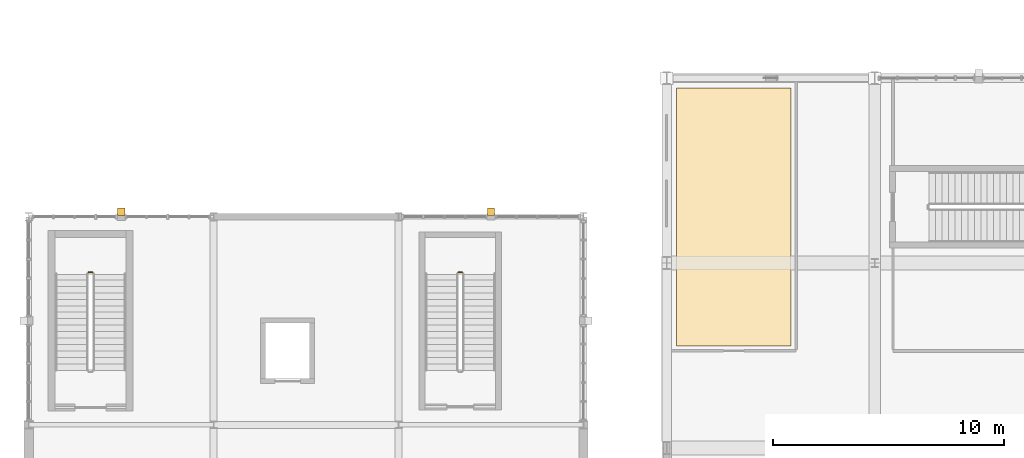
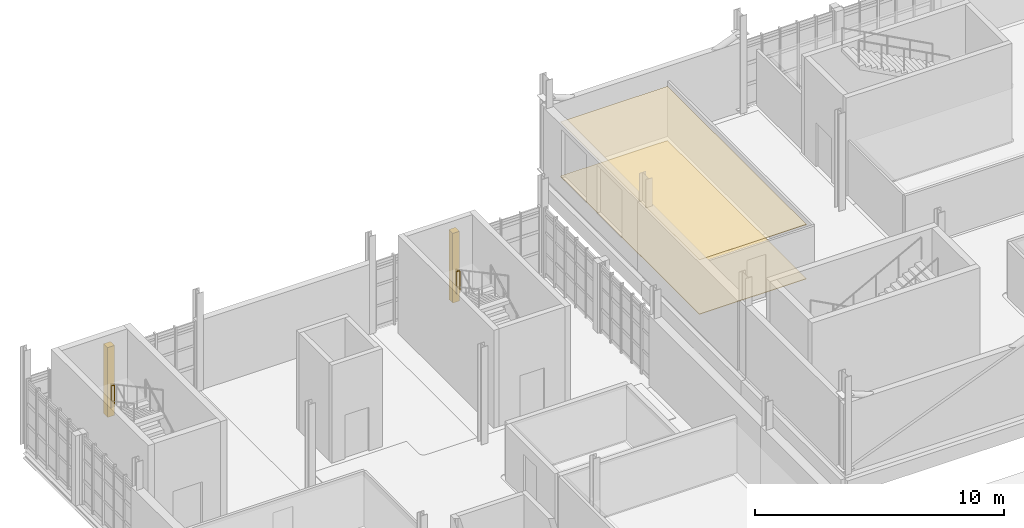
# One storey, part 124 of 128: 4 coverings, 2 railings.
"""IFC4 building model written with IfcOpenShell, lengths in metres."""

from ifc_helpers import new_model, si_unit, direction, frame, origin, origin_2d, place, context, subcontext, project, spatial, polyline, circle, outline, extrude, material, layer, layer_set, type_object, element, save


model = new_model("IFC4")

# Units and contexts
model_context = context("Model", 3, precision=1e-05, world=origin(), true_north=direction((0.0, 1.0)))
body_context = subcontext(model_context, "Body", "Model", "MODEL_VIEW")
ifc_project = project(units=[si_unit("LENGTHUNIT", "METRE"), si_unit("AREAUNIT", "SQUARE_METRE"), si_unit("VOLUMEUNIT", "CUBIC_METRE"), si_unit("PLANEANGLEUNIT", "RADIAN"), si_unit("MASSUNIT", "GRAM", prefix="KILO")], contexts=[model_context])

# Site, building, storey
site_placement = place(None, origin())
site = spatial("IfcSite", under=ifc_project, at=site_placement, CompositionType="ELEMENT")
building_placement = place(site_placement, origin())
building = spatial("IfcBuilding", under=site, at=building_placement, Name="Serraforn Aerial Cableway Station", CompositionType="ELEMENT")
storey_placement = place(building_placement, frame((0.0, 0.0, 9.0)))
storey = spatial("IfcBuildingStorey", under=building, at=storey_placement, Name="L02", CompositionType="ELEMENT", Elevation=9.0)

# Coverings
ifc_material_1 = material(Name="Fluted patinated bronze Art Deco pilaster cladding")
ifc_layer_1 = layer(ifc_material_1, 0.034912109375)
ifc_layer_set_1 = layer_set([ifc_layer_1], Name="Fluted patinated bronze Art Deco pilaster cladding")
covering_type_1 = type_object("IfcCoveringType", Name="COV-CLAD-BRZ", PredefinedType="CLADDING", material=ifc_layer_set_1)
covering_1_placement = place(storey_placement, origin())
element("IfcCovering", 1, at=covering_1_placement, inside=storey, type_object=covering_type_1, Name="Art Deco Bronze Pilaster Cladding W-L02-N1", PredefinedType="CLADDING", context=body_context, shape_type="SweptSolid", body=[
    extrude(outline(polyline([(3.840087890625, 36.06005859375), (4.159912109375, 36.06005859375), (4.159912109375, 36.3798828125), (3.840087890625, 36.3798828125), (3.840087890625, 36.06005859375)])), origin(), (0.0, 0.0, 1.0), 3.419921875),
])
covering_2_placement = place(storey_placement, origin())
element("IfcCovering", 2, at=covering_2_placement, inside=storey, type_object=covering_type_1, Name="Art Deco Bronze Pilaster Cladding W-L02-N3", PredefinedType="CLADDING", context=body_context, shape_type="SweptSolid", body=[
    extrude(outline(polyline([(19.840087890625, 36.06005859375), (20.159912109375, 36.06005859375), (20.159912109375, 36.3798828125), (19.840087890625, 36.3798828125), (19.840087890625, 36.06005859375)])), origin(), (0.0, 0.0, 1.0), 3.419921875),
])
ifc_material_2 = material(Name="Perforated acoustic mineral ceiling")
ifc_layer_2 = layer(ifc_material_2, 0.02490234375)
ifc_layer_set_2 = layer_set([ifc_layer_2], Name="Perforated acoustic mineral ceiling")
covering_type_2 = type_object("IfcCoveringType", Name="COV-CLG-AC", PredefinedType="CEILING", material=ifc_layer_set_2)
covering_3_placement = place(storey_placement, frame((0.0, 0.0, 2.659912109375)))
element("IfcCovering", 3, at=covering_3_placement, inside=storey, type_object=covering_type_2, Name="Suspended Ceiling L02-17", PredefinedType="CEILING", context=body_context, shape_type="SweptSolid", body=[
    extrude(outline(polyline([(28.02001953125, 30.419921875), (28.02001953125, 41.580078125), (32.97998046875, 41.580078125), (32.97998046875, 30.419921875), (28.02001953125, 30.419921875)])), origin(), (0.0, 0.0, 1.0), 0.025146484375),
])
ifc_material_3 = material(Name="Catalan geometric terrazzo tile flooring")
ifc_layer_3 = layer(ifc_material_3, 0.02490234375)
ifc_layer_set_3 = layer_set([ifc_layer_3], Name="Catalan geometric terrazzo tile flooring")
covering_type_3 = type_object("IfcCoveringType", Name="COV-FLR-TER", PredefinedType="FLOORING", material=ifc_layer_set_3)
covering_4_placement = place(storey_placement, origin())
element("IfcCovering", 4, at=covering_4_placement, inside=storey, type_object=covering_type_3, Name="Flooring L02-17", PredefinedType="FLOORING", context=body_context, shape_type="SweptSolid", body=[
    extrude(outline(polyline([(28.02001953125, 30.419921875), (28.02001953125, 41.580078125), (32.97998046875, 41.580078125), (32.97998046875, 30.419921875), (28.02001953125, 30.419921875)])), origin(), (0.0, 0.0, 1.0), 0.02490234375),
])

# Railings
ifc_material_4 = material(Name="Patinated bronze stair guardrail")
ifc_layer_4 = layer(ifc_material_4, 0.050048828125)
ifc_layer_set_4 = layer_set([ifc_layer_4], Name="Patinated bronze stair guardrail")
railing_type = type_object("IfcRailingType", Name="RL-STR-GRD", PredefinedType="GUARDRAIL", material=ifc_layer_set_4)
for number, where, name in (
    (5, (2.75, 33.60009765625, 2.39990234375), "L02 ST-01 stair guard 2"),
    (6, (18.75, 33.60009765625, 2.39990234375), "L02 ST-02 stair guard 2"),
):
    element("IfcRailing", number, at=place(storey_placement, frame(where)), inside=storey, type_object=railing_type, Name=name, PredefinedType="GUARDRAIL", context=body_context, shape_type="SweptSolid", body=[
        extrude(circle(Radius=0.02392578125, at=origin_2d()), frame((0.0, 0.0, 1.076171875), z_axis=(-1.0, 0.0, 0.0), x_axis=(0.0, -1.0, 0.0)), (0.0, 0.0, 1.0), 0.159912109375),
        extrude(circle(Radius=0.02099609375, at=origin_2d()), origin(), (0.0, 0.0, 1.0), 1.052001953125),
        extrude(circle(Radius=0.02099609375, at=origin_2d()), frame((-0.159912109375, 0.0, 0.0)), (0.0, 0.0, 1.0), 1.052001953125),
    ])

save(model, "model.ifc")
